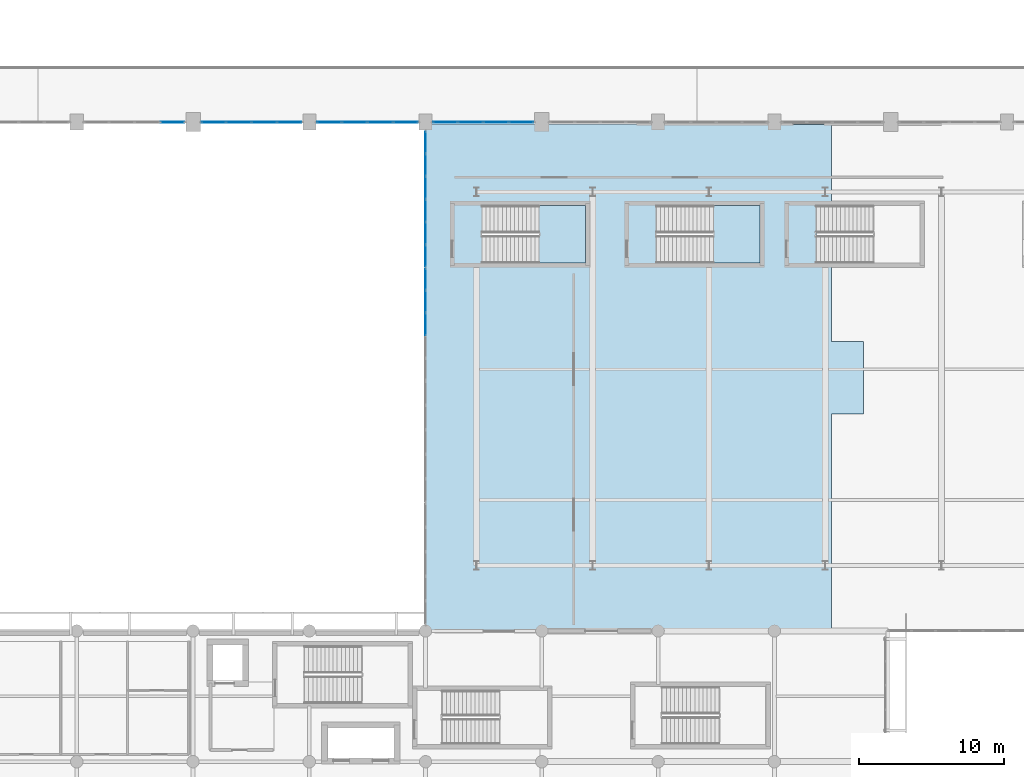
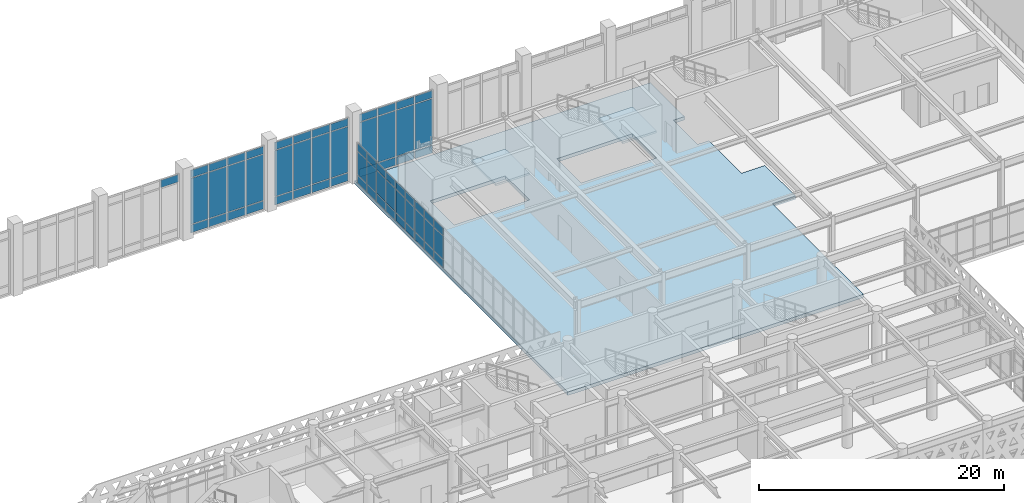
# One storey, part 52 of 84: 64 plates, 3 slabs, 8 elements without a shape of their own.
"""IFC4 building model written with IfcOpenShell, lengths in metres."""

from ifc_helpers import new_model, si_unit, direction, frame, origin, origin_2d, place, context, subcontext, project, spatial, polyline, rectangle, outline, extrude, material, layer, layer_set, type_object, element, aggregate, save


model = new_model("IFC4")

# Units and contexts
model_context = context("Model", 3, precision=1e-05, world=origin(), true_north=direction((0.0, 1.0)))
body_context = subcontext(model_context, "Body", "Model", "MODEL_VIEW")
ifc_project = project(units=[si_unit("LENGTHUNIT", "METRE"), si_unit("AREAUNIT", "SQUARE_METRE"), si_unit("VOLUMEUNIT", "CUBIC_METRE"), si_unit("PLANEANGLEUNIT", "RADIAN"), si_unit("MASSUNIT", "GRAM", prefix="KILO")], contexts=[model_context])

# Site, building, storey
site_placement = place(None, origin())
site = spatial("IfcSite", under=ifc_project, at=site_placement, CompositionType="ELEMENT")
building_placement = place(site_placement, origin())
building = spatial("IfcBuilding", under=site, at=building_placement, Name="Tlacozan Convention Centre", CompositionType="ELEMENT")
storey_placement = place(building_placement, frame((0.0, 0.0, 6.0)))
storey = spatial("IfcBuildingStorey", under=building, at=storey_placement, Name="L01", CompositionType="ELEMENT", Elevation=6.0)

# Slab
ifc_material_1 = material(Name="Concrete C40/50", Category="concrete")
ifc_layer_1 = layer(ifc_material_1, 0.340087890625)
ifc_layer_set_1 = layer_set([ifc_layer_1], Name="Concrete C40/50")
slab_type_1 = type_object("IfcSlabType", Name="Ballroom Acoustic Floor Slab 340", PredefinedType="FLOOR", material=ifc_layer_set_1)
slab_1_placement = place(storey_placement, frame((0.0, 0.0, -0.340087890625)))
element("IfcSlab", 1, at=slab_1_placement, inside=storey, type_object=slab_type_1, Name="L01 Ballroom Acoustic Floor Slab 340 61", PredefinedType="FLOOR", context=body_context, shape_type="SweptSolid", body=[
    extrude(outline(polyline([(88.0, 27.0), (88.0, 61.85009765625), (115.925048828125, 61.85009765625), (115.925048828125, 56.260009765625), (114.8798828125, 56.260009765625), (114.8798828125, 52.300048828125), (115.925048828125, 52.300048828125), (115.925048828125, 46.925048828125), (118.125, 46.925048828125), (118.125, 41.925048828125), (115.925048828125, 41.925048828125), (115.925048828125, 27.0), (88.0, 27.0)]), holes=[polyline([(91.8798828125, 52.300048828125), (99.0, 52.300048828125), (99.0, 56.260009765625), (91.8798828125, 56.260009765625), (91.8798828125, 52.300048828125)]), polyline([(103.8798828125, 52.300048828125), (111.0, 52.300048828125), (111.0, 56.260009765625), (103.8798828125, 56.260009765625), (103.8798828125, 52.300048828125)])]), origin(), (0.0, 0.0, 1.0), 0.340087890625),
])

# Curtain wall, plate
ifc_material_2 = material(Name="Dark Bronze Anodised Aluminium", Category="aluminium")
ifc_layer_2 = layer(ifc_material_2, 0.199951171875)
ifc_layer_set_2 = layer_set([ifc_layer_2], Name="Dark Bronze Anodised Aluminium")
curtain_wall_type_1 = type_object("IfcCurtainWallType", Name="Exhibition Clerestory Curtain Wall CW10", PredefinedType="NOTDEFINED", material=ifc_layer_set_2)
curtain_wall_1_placement = place(storey_placement, origin())
curtain_wall_1 = element("IfcCurtainWall", 2, at=curtain_wall_1_placement, inside=storey, type_object=curtain_wall_type_1, Name="L01 CW-10 Run 17", PredefinedType="NOTDEFINED")
ifc_material_3 = material(Name="Solar Control Double Low-E Argon Glazing", Category="glass")
ifc_layer_3 = layer(ifc_material_3, 0.050048828125)
ifc_layer_set_3 = layer_set([ifc_layer_3], Name="Solar Control Double Low-E Argon Glazing")
plate_type_1 = type_object("IfcPlateType", Name="Clerestory Solar CW Panel 50", PredefinedType="CURTAIN_PANEL", material=ifc_layer_set_3)
plate_1_placement = place(storey_placement, frame((70.5888671875, 62.0, 5.58740234375), z_axis=(0.0, 0.0, 1.0), x_axis=(1.0, 0.0, 0.0)))
plate_1 = element("IfcPlate", 3, at=plate_1_placement, type_object=plate_type_1, Name="CW-10 panel 4.3", PredefinedType="CURTAIN_PANEL", context=body_context, shape_type="SweptSolid", body=[
    extrude(rectangle(XDim=1.642578125, YDim=0.050048828125, at=origin_2d()), origin(), (0.0, 0.0, 1.0), 0.737548828125),
])
aggregate(curtain_wall_1, [plate_1])

# Curtain wall, plates
curtain_wall_2_placement = place(storey_placement, origin())
curtain_wall_2 = element("IfcCurtainWall", 4, at=curtain_wall_2_placement, inside=storey, type_object=curtain_wall_type_1, Name="L01 CW-10 Run 18", PredefinedType="NOTDEFINED")
plate_2_placement = place(storey_placement, frame((73.4111328125, 62.0, 0.074951171875), z_axis=(0.0, 0.0, 1.0), x_axis=(1.0, 0.0, 0.0)))
plate_2 = element("IfcPlate", 5, at=plate_2_placement, type_object=plate_type_1, Name="CW-10 panel 1.1", PredefinedType="CURTAIN_PANEL", context=body_context, shape_type="SweptSolid", body=[
    extrude(rectangle(XDim=1.642578125, YDim=0.050048828125, at=origin_2d()), origin(), (0.0, 0.0, 1.0), 0.78759765625),
])
plate_3_placement = place(storey_placement, frame((73.4111328125, 62.0, 0.9375), z_axis=(0.0, 0.0, 1.0), x_axis=(1.0, 0.0, 0.0)))
plate_3 = element("IfcPlate", 6, at=plate_3_placement, type_object=plate_type_1, Name="CW-10 panel 1.2", PredefinedType="CURTAIN_PANEL", context=body_context, shape_type="SweptSolid", body=[
    extrude(rectangle(XDim=1.642578125, YDim=0.050048828125, at=origin_2d()), origin(), (0.0, 0.0, 1.0), 4.574951171875),
])
plate_4_placement = place(storey_placement, frame((73.4111328125, 62.0, 5.58740234375), z_axis=(0.0, 0.0, 1.0), x_axis=(1.0, 0.0, 0.0)))
plate_4 = element("IfcPlate", 7, at=plate_4_placement, type_object=plate_type_1, Name="CW-10 panel 1.3", PredefinedType="CURTAIN_PANEL", context=body_context, shape_type="SweptSolid", body=[
    extrude(rectangle(XDim=1.642578125, YDim=0.050048828125, at=origin_2d()), origin(), (0.0, 0.0, 1.0), 0.737548828125),
])
plate_5_placement = place(storey_placement, frame((75.1474609375, 62.0, 0.074951171875), z_axis=(0.0, 0.0, 1.0), x_axis=(1.0, 0.0, 0.0)))
plate_5 = element("IfcPlate", 8, at=plate_5_placement, type_object=plate_type_1, Name="CW-10 panel 2.1", PredefinedType="CURTAIN_PANEL", context=body_context, shape_type="SweptSolid", body=[
    extrude(rectangle(XDim=1.679931640625, YDim=0.050048828125, at=origin_2d()), origin(), (0.0, 0.0, 1.0), 0.78759765625),
])
plate_6_placement = place(storey_placement, frame((75.1474609375, 62.0, 0.9375), z_axis=(0.0, 0.0, 1.0), x_axis=(1.0, 0.0, 0.0)))
plate_6 = element("IfcPlate", 9, at=plate_6_placement, type_object=plate_type_1, Name="CW-10 panel 2.2", PredefinedType="CURTAIN_PANEL", context=body_context, shape_type="SweptSolid", body=[
    extrude(rectangle(XDim=1.679931640625, YDim=0.050048828125, at=origin_2d()), origin(), (0.0, 0.0, 1.0), 4.574951171875),
])
plate_7_placement = place(storey_placement, frame((75.1474609375, 62.0, 5.58740234375), z_axis=(0.0, 0.0, 1.0), x_axis=(1.0, 0.0, 0.0)))
plate_7 = element("IfcPlate", 10, at=plate_7_placement, type_object=plate_type_1, Name="CW-10 panel 2.3", PredefinedType="CURTAIN_PANEL", context=body_context, shape_type="SweptSolid", body=[
    extrude(rectangle(XDim=1.679931640625, YDim=0.050048828125, at=origin_2d()), origin(), (0.0, 0.0, 1.0), 0.737548828125),
])
plate_8_placement = place(storey_placement, frame((76.902587890625, 62.0, 0.074951171875), z_axis=(0.0, 0.0, 1.0), x_axis=(1.0, 0.0, 0.0)))
plate_8 = element("IfcPlate", 11, at=plate_8_placement, type_object=plate_type_1, Name="CW-10 panel 3.1", PredefinedType="CURTAIN_PANEL", context=body_context, shape_type="SweptSolid", body=[
    extrude(rectangle(XDim=1.679931640625, YDim=0.050048828125, at=origin_2d()), origin(), (0.0, 0.0, 1.0), 0.78759765625),
])
plate_9_placement = place(storey_placement, frame((76.902587890625, 62.0, 0.9375), z_axis=(0.0, 0.0, 1.0), x_axis=(1.0, 0.0, 0.0)))
plate_9 = element("IfcPlate", 12, at=plate_9_placement, type_object=plate_type_1, Name="CW-10 panel 3.2", PredefinedType="CURTAIN_PANEL", context=body_context, shape_type="SweptSolid", body=[
    extrude(rectangle(XDim=1.679931640625, YDim=0.050048828125, at=origin_2d()), origin(), (0.0, 0.0, 1.0), 4.574951171875),
])
plate_10_placement = place(storey_placement, frame((76.902587890625, 62.0, 5.58740234375), z_axis=(0.0, 0.0, 1.0), x_axis=(1.0, 0.0, 0.0)))
plate_10 = element("IfcPlate", 13, at=plate_10_placement, type_object=plate_type_1, Name="CW-10 panel 3.3", PredefinedType="CURTAIN_PANEL", context=body_context, shape_type="SweptSolid", body=[
    extrude(rectangle(XDim=1.679931640625, YDim=0.050048828125, at=origin_2d()), origin(), (0.0, 0.0, 1.0), 0.737548828125),
])
plate_11_placement = place(storey_placement, frame((78.638671875, 62.0, 0.074951171875), z_axis=(0.0, 0.0, 1.0), x_axis=(1.0, 0.0, 0.0)))
plate_11 = element("IfcPlate", 14, at=plate_11_placement, type_object=plate_type_1, Name="CW-10 panel 4.1", PredefinedType="CURTAIN_PANEL", context=body_context, shape_type="SweptSolid", body=[
    extrude(rectangle(XDim=1.642578125, YDim=0.050048828125, at=origin_2d()), origin(), (0.0, 0.0, 1.0), 0.78759765625),
])
plate_12_placement = place(storey_placement, frame((78.638671875, 62.0, 0.9375), z_axis=(0.0, 0.0, 1.0), x_axis=(1.0, 0.0, 0.0)))
plate_12 = element("IfcPlate", 15, at=plate_12_placement, type_object=plate_type_1, Name="CW-10 panel 4.2", PredefinedType="CURTAIN_PANEL", context=body_context, shape_type="SweptSolid", body=[
    extrude(rectangle(XDim=1.642578125, YDim=0.050048828125, at=origin_2d()), origin(), (0.0, 0.0, 1.0), 4.574951171875),
])
plate_13_placement = place(storey_placement, frame((78.638671875, 62.0, 5.58740234375), z_axis=(0.0, 0.0, 1.0), x_axis=(1.0, 0.0, 0.0)))
plate_13 = element("IfcPlate", 16, at=plate_13_placement, type_object=plate_type_1, Name="CW-10 panel 4.3", PredefinedType="CURTAIN_PANEL", context=body_context, shape_type="SweptSolid", body=[
    extrude(rectangle(XDim=1.642578125, YDim=0.050048828125, at=origin_2d()), origin(), (0.0, 0.0, 1.0), 0.737548828125),
])
aggregate(curtain_wall_2, [plate_2, plate_3, plate_4, plate_5, plate_6, plate_7, plate_8, plate_9, plate_10, plate_11, plate_12, plate_13])

curtain_wall_3_placement = place(storey_placement, origin())
curtain_wall_3 = element("IfcCurtainWall", 17, at=curtain_wall_3_placement, inside=storey, type_object=curtain_wall_type_1, Name="L01 CW-10 Run 19", PredefinedType="NOTDEFINED")
plate_14_placement = place(storey_placement, frame((81.367431640625, 62.0, 0.074951171875), z_axis=(0.0, 0.0, 1.0), x_axis=(1.0, 0.0, 0.0)))
plate_14 = element("IfcPlate", 18, at=plate_14_placement, type_object=plate_type_1, Name="CW-10 panel 1.1", PredefinedType="CURTAIN_PANEL", context=body_context, shape_type="SweptSolid", body=[
    extrude(rectangle(XDim=1.655029296875, YDim=0.050048828125, at=origin_2d()), origin(), (0.0, 0.0, 1.0), 0.78759765625),
])
plate_15_placement = place(storey_placement, frame((81.367431640625, 62.0, 0.9375), z_axis=(0.0, 0.0, 1.0), x_axis=(1.0, 0.0, 0.0)))
plate_15 = element("IfcPlate", 19, at=plate_15_placement, type_object=plate_type_1, Name="CW-10 panel 1.2", PredefinedType="CURTAIN_PANEL", context=body_context, shape_type="SweptSolid", body=[
    extrude(rectangle(XDim=1.655029296875, YDim=0.050048828125, at=origin_2d()), origin(), (0.0, 0.0, 1.0), 4.574951171875),
])
plate_16_placement = place(storey_placement, frame((81.367431640625, 62.0, 5.58740234375), z_axis=(0.0, 0.0, 1.0), x_axis=(1.0, 0.0, 0.0)))
plate_16 = element("IfcPlate", 20, at=plate_16_placement, type_object=plate_type_1, Name="CW-10 panel 1.3", PredefinedType="CURTAIN_PANEL", context=body_context, shape_type="SweptSolid", body=[
    extrude(rectangle(XDim=1.655029296875, YDim=0.050048828125, at=origin_2d()), origin(), (0.0, 0.0, 1.0), 0.737548828125),
])
plate_17_placement = place(storey_placement, frame((83.1162109375, 62.0, 0.074951171875), z_axis=(0.0, 0.0, 1.0), x_axis=(1.0, 0.0, 0.0)))
plate_17 = element("IfcPlate", 21, at=plate_17_placement, type_object=plate_type_1, Name="CW-10 panel 2.1", PredefinedType="CURTAIN_PANEL", context=body_context, shape_type="SweptSolid", body=[
    extrude(rectangle(XDim=1.6923828125, YDim=0.050048828125, at=origin_2d()), origin(), (0.0, 0.0, 1.0), 0.78759765625),
])
plate_18_placement = place(storey_placement, frame((83.1162109375, 62.0, 0.9375), z_axis=(0.0, 0.0, 1.0), x_axis=(1.0, 0.0, 0.0)))
plate_18 = element("IfcPlate", 22, at=plate_18_placement, type_object=plate_type_1, Name="CW-10 panel 2.2", PredefinedType="CURTAIN_PANEL", context=body_context, shape_type="SweptSolid", body=[
    extrude(rectangle(XDim=1.6923828125, YDim=0.050048828125, at=origin_2d()), origin(), (0.0, 0.0, 1.0), 4.574951171875),
])
plate_19_placement = place(storey_placement, frame((83.1162109375, 62.0, 5.58740234375), z_axis=(0.0, 0.0, 1.0), x_axis=(1.0, 0.0, 0.0)))
plate_19 = element("IfcPlate", 23, at=plate_19_placement, type_object=plate_type_1, Name="CW-10 panel 2.3", PredefinedType="CURTAIN_PANEL", context=body_context, shape_type="SweptSolid", body=[
    extrude(rectangle(XDim=1.6923828125, YDim=0.050048828125, at=origin_2d()), origin(), (0.0, 0.0, 1.0), 0.737548828125),
])
plate_20_placement = place(storey_placement, frame((84.8837890625, 62.0, 0.074951171875), z_axis=(0.0, 0.0, 1.0), x_axis=(1.0, 0.0, 0.0)))
plate_20 = element("IfcPlate", 24, at=plate_20_placement, type_object=plate_type_1, Name="CW-10 panel 3.1", PredefinedType="CURTAIN_PANEL", context=body_context, shape_type="SweptSolid", body=[
    extrude(rectangle(XDim=1.6923828125, YDim=0.050048828125, at=origin_2d()), origin(), (0.0, 0.0, 1.0), 0.78759765625),
])
plate_21_placement = place(storey_placement, frame((84.8837890625, 62.0, 0.9375), z_axis=(0.0, 0.0, 1.0), x_axis=(1.0, 0.0, 0.0)))
plate_21 = element("IfcPlate", 25, at=plate_21_placement, type_object=plate_type_1, Name="CW-10 panel 3.2", PredefinedType="CURTAIN_PANEL", context=body_context, shape_type="SweptSolid", body=[
    extrude(rectangle(XDim=1.6923828125, YDim=0.050048828125, at=origin_2d()), origin(), (0.0, 0.0, 1.0), 4.574951171875),
])
plate_22_placement = place(storey_placement, frame((84.8837890625, 62.0, 5.58740234375), z_axis=(0.0, 0.0, 1.0), x_axis=(1.0, 0.0, 0.0)))
plate_22 = element("IfcPlate", 26, at=plate_22_placement, type_object=plate_type_1, Name="CW-10 panel 3.3", PredefinedType="CURTAIN_PANEL", context=body_context, shape_type="SweptSolid", body=[
    extrude(rectangle(XDim=1.6923828125, YDim=0.050048828125, at=origin_2d()), origin(), (0.0, 0.0, 1.0), 0.737548828125),
])
plate_23_placement = place(storey_placement, frame((86.632568359375, 62.0, 0.074951171875), z_axis=(0.0, 0.0, 1.0), x_axis=(1.0, 0.0, 0.0)))
plate_23 = element("IfcPlate", 27, at=plate_23_placement, type_object=plate_type_1, Name="CW-10 panel 4.1", PredefinedType="CURTAIN_PANEL", context=body_context, shape_type="SweptSolid", body=[
    extrude(rectangle(XDim=1.655029296875, YDim=0.050048828125, at=origin_2d()), origin(), (0.0, 0.0, 1.0), 0.78759765625),
])
plate_24_placement = place(storey_placement, frame((86.632568359375, 62.0, 0.9375), z_axis=(0.0, 0.0, 1.0), x_axis=(1.0, 0.0, 0.0)))
plate_24 = element("IfcPlate", 28, at=plate_24_placement, type_object=plate_type_1, Name="CW-10 panel 4.2", PredefinedType="CURTAIN_PANEL", context=body_context, shape_type="SweptSolid", body=[
    extrude(rectangle(XDim=1.655029296875, YDim=0.050048828125, at=origin_2d()), origin(), (0.0, 0.0, 1.0), 4.574951171875),
])
plate_25_placement = place(storey_placement, frame((86.632568359375, 62.0, 5.58740234375), z_axis=(0.0, 0.0, 1.0), x_axis=(1.0, 0.0, 0.0)))
plate_25 = element("IfcPlate", 29, at=plate_25_placement, type_object=plate_type_1, Name="CW-10 panel 4.3", PredefinedType="CURTAIN_PANEL", context=body_context, shape_type="SweptSolid", body=[
    extrude(rectangle(XDim=1.655029296875, YDim=0.050048828125, at=origin_2d()), origin(), (0.0, 0.0, 1.0), 0.737548828125),
])
aggregate(curtain_wall_3, [plate_14, plate_15, plate_16, plate_17, plate_18, plate_19, plate_20, plate_21, plate_22, plate_23, plate_24, plate_25])

curtain_wall_4_placement = place(storey_placement, origin())
curtain_wall_4 = element("IfcCurtainWall", 30, at=curtain_wall_4_placement, inside=storey, type_object=curtain_wall_type_1, Name="L01 CW-10 Run 20", PredefinedType="NOTDEFINED")
plate_26_placement = place(storey_placement, frame((89.361328125, 62.0, 0.074951171875), z_axis=(0.0, 0.0, 1.0), x_axis=(1.0, 0.0, 0.0)))
plate_26 = element("IfcPlate", 31, at=plate_26_placement, type_object=plate_type_1, Name="CW-10 panel 1.1", PredefinedType="CURTAIN_PANEL", context=body_context, shape_type="SweptSolid", body=[
    extrude(rectangle(XDim=1.642578125, YDim=0.050048828125, at=origin_2d()), origin(), (0.0, 0.0, 1.0), 0.78759765625),
])
plate_27_placement = place(storey_placement, frame((89.361328125, 62.0, 0.9375), z_axis=(0.0, 0.0, 1.0), x_axis=(1.0, 0.0, 0.0)))
plate_27 = element("IfcPlate", 32, at=plate_27_placement, type_object=plate_type_1, Name="CW-10 panel 1.2", PredefinedType="CURTAIN_PANEL", context=body_context, shape_type="SweptSolid", body=[
    extrude(rectangle(XDim=1.642578125, YDim=0.050048828125, at=origin_2d()), origin(), (0.0, 0.0, 1.0), 4.574951171875),
])
plate_28_placement = place(storey_placement, frame((89.361328125, 62.0, 5.58740234375), z_axis=(0.0, 0.0, 1.0), x_axis=(1.0, 0.0, 0.0)))
plate_28 = element("IfcPlate", 33, at=plate_28_placement, type_object=plate_type_1, Name="CW-10 panel 1.3", PredefinedType="CURTAIN_PANEL", context=body_context, shape_type="SweptSolid", body=[
    extrude(rectangle(XDim=1.642578125, YDim=0.050048828125, at=origin_2d()), origin(), (0.0, 0.0, 1.0), 0.737548828125),
])
plate_29_placement = place(storey_placement, frame((91.097412109375, 62.0, 0.074951171875), z_axis=(0.0, 0.0, 1.0), x_axis=(1.0, 0.0, 0.0)))
plate_29 = element("IfcPlate", 34, at=plate_29_placement, type_object=plate_type_1, Name="CW-10 panel 2.1", PredefinedType="CURTAIN_PANEL", context=body_context, shape_type="SweptSolid", body=[
    extrude(rectangle(XDim=1.679931640625, YDim=0.050048828125, at=origin_2d()), origin(), (0.0, 0.0, 1.0), 0.78759765625),
])
plate_30_placement = place(storey_placement, frame((91.097412109375, 62.0, 0.9375), z_axis=(0.0, 0.0, 1.0), x_axis=(1.0, 0.0, 0.0)))
plate_30 = element("IfcPlate", 35, at=plate_30_placement, type_object=plate_type_1, Name="CW-10 panel 2.2", PredefinedType="CURTAIN_PANEL", context=body_context, shape_type="SweptSolid", body=[
    extrude(rectangle(XDim=1.679931640625, YDim=0.050048828125, at=origin_2d()), origin(), (0.0, 0.0, 1.0), 4.574951171875),
])
plate_31_placement = place(storey_placement, frame((91.097412109375, 62.0, 5.58740234375), z_axis=(0.0, 0.0, 1.0), x_axis=(1.0, 0.0, 0.0)))
plate_31 = element("IfcPlate", 36, at=plate_31_placement, type_object=plate_type_1, Name="CW-10 panel 2.3", PredefinedType="CURTAIN_PANEL", context=body_context, shape_type="SweptSolid", body=[
    extrude(rectangle(XDim=1.679931640625, YDim=0.050048828125, at=origin_2d()), origin(), (0.0, 0.0, 1.0), 0.737548828125),
])
plate_32_placement = place(storey_placement, frame((92.8525390625, 62.0, 0.074951171875), z_axis=(0.0, 0.0, 1.0), x_axis=(1.0, 0.0, 0.0)))
plate_32 = element("IfcPlate", 37, at=plate_32_placement, type_object=plate_type_1, Name="CW-10 panel 3.1", PredefinedType="CURTAIN_PANEL", context=body_context, shape_type="SweptSolid", body=[
    extrude(rectangle(XDim=1.679931640625, YDim=0.050048828125, at=origin_2d()), origin(), (0.0, 0.0, 1.0), 0.78759765625),
])
plate_33_placement = place(storey_placement, frame((92.8525390625, 62.0, 0.9375), z_axis=(0.0, 0.0, 1.0), x_axis=(1.0, 0.0, 0.0)))
plate_33 = element("IfcPlate", 38, at=plate_33_placement, type_object=plate_type_1, Name="CW-10 panel 3.2", PredefinedType="CURTAIN_PANEL", context=body_context, shape_type="SweptSolid", body=[
    extrude(rectangle(XDim=1.679931640625, YDim=0.050048828125, at=origin_2d()), origin(), (0.0, 0.0, 1.0), 4.574951171875),
])
plate_34_placement = place(storey_placement, frame((92.8525390625, 62.0, 5.58740234375), z_axis=(0.0, 0.0, 1.0), x_axis=(1.0, 0.0, 0.0)))
plate_34 = element("IfcPlate", 39, at=plate_34_placement, type_object=plate_type_1, Name="CW-10 panel 3.3", PredefinedType="CURTAIN_PANEL", context=body_context, shape_type="SweptSolid", body=[
    extrude(rectangle(XDim=1.679931640625, YDim=0.050048828125, at=origin_2d()), origin(), (0.0, 0.0, 1.0), 0.737548828125),
])
plate_35_placement = place(storey_placement, frame((94.5888671875, 62.0, 0.074951171875), z_axis=(0.0, 0.0, 1.0), x_axis=(1.0, 0.0, 0.0)))
plate_35 = element("IfcPlate", 40, at=plate_35_placement, type_object=plate_type_1, Name="CW-10 panel 4.1", PredefinedType="CURTAIN_PANEL", context=body_context, shape_type="SweptSolid", body=[
    extrude(rectangle(XDim=1.642578125, YDim=0.050048828125, at=origin_2d()), origin(), (0.0, 0.0, 1.0), 0.78759765625),
])
plate_36_placement = place(storey_placement, frame((94.5888671875, 62.0, 0.9375), z_axis=(0.0, 0.0, 1.0), x_axis=(1.0, 0.0, 0.0)))
plate_36 = element("IfcPlate", 41, at=plate_36_placement, type_object=plate_type_1, Name="CW-10 panel 4.2", PredefinedType="CURTAIN_PANEL", context=body_context, shape_type="SweptSolid", body=[
    extrude(rectangle(XDim=1.642578125, YDim=0.050048828125, at=origin_2d()), origin(), (0.0, 0.0, 1.0), 4.574951171875),
])
plate_37_placement = place(storey_placement, frame((94.5888671875, 62.0, 5.58740234375), z_axis=(0.0, 0.0, 1.0), x_axis=(1.0, 0.0, 0.0)))
plate_37 = element("IfcPlate", 42, at=plate_37_placement, type_object=plate_type_1, Name="CW-10 panel 4.3", PredefinedType="CURTAIN_PANEL", context=body_context, shape_type="SweptSolid", body=[
    extrude(rectangle(XDim=1.642578125, YDim=0.050048828125, at=origin_2d()), origin(), (0.0, 0.0, 1.0), 0.737548828125),
])
aggregate(curtain_wall_4, [plate_26, plate_27, plate_28, plate_29, plate_30, plate_31, plate_32, plate_33, plate_34, plate_35, plate_36, plate_37])

ifc_layer_4 = layer(ifc_material_2, 0.199951171875)
ifc_layer_set_4 = layer_set([ifc_layer_4], Name="Dark Bronze Anodised Aluminium")
curtain_wall_type_2 = type_object("IfcCurtainWallType", Name="Unitised Ballroom Cloister L01 CW08", PredefinedType="NOTDEFINED", material=ifc_layer_set_4)
curtain_wall_5_placement = place(storey_placement, origin())
curtain_wall_5 = element("IfcCurtainWall", 43, at=curtain_wall_5_placement, inside=storey, type_object=curtain_wall_type_2, Name="L01 CW-08 Run 160", PredefinedType="NOTDEFINED")
ifc_layer_5 = layer(ifc_material_3, 0.030029296875)
ifc_layer_set_5 = layer_set([ifc_layer_5], Name="Solar Control Double Low-E Argon Glazing")
plate_type_2 = type_object("IfcPlateType", Name="Double Low-E Acoustic CW Panel 30", PredefinedType="CURTAIN_PANEL", material=ifc_layer_set_5)
plate_38_placement = place(storey_placement, frame((88.0, 48.10009765625, 0.074951171875), z_axis=(0.0, 0.0, 1.0), x_axis=(0.0, 1.0, 0.0)))
plate_38 = element("IfcPlate", 44, at=plate_38_placement, type_object=plate_type_2, Name="CW-08 panel 3.1", PredefinedType="CURTAIN_PANEL", context=body_context, shape_type="SweptSolid", body=[
    extrude(rectangle(XDim=1.485107421875, YDim=0.030029296875, at=origin_2d()), origin(), (0.0, 0.0, 1.0), 0.78759765625),
])
plate_39_placement = place(storey_placement, frame((88.0, 48.10009765625, 0.9375), z_axis=(0.0, 0.0, 1.0), x_axis=(0.0, 1.0, 0.0)))
plate_39 = element("IfcPlate", 45, at=plate_39_placement, type_object=plate_type_2, Name="CW-08 panel 3.2", PredefinedType="CURTAIN_PANEL", context=body_context, shape_type="SweptSolid", body=[
    extrude(rectangle(XDim=1.485107421875, YDim=0.030029296875, at=origin_2d()), origin(), (0.0, 0.0, 1.0), 2.27490234375),
])
plate_40_placement = place(storey_placement, frame((88.0, 48.10009765625, 3.28759765625), z_axis=(0.0, 0.0, 1.0), x_axis=(0.0, 1.0, 0.0)))
plate_40 = element("IfcPlate", 46, at=plate_40_placement, type_object=plate_type_2, Name="CW-08 panel 3.3", PredefinedType="CURTAIN_PANEL", context=body_context, shape_type="SweptSolid", body=[
    extrude(rectangle(XDim=1.485107421875, YDim=0.030029296875, at=origin_2d()), origin(), (0.0, 0.0, 1.0), 0.737548828125),
])
plate_41_placement = place(storey_placement, frame((88.0, 49.659912109375, 0.074951171875), z_axis=(0.0, 0.0, 1.0), x_axis=(0.0, 1.0, 0.0)))
plate_41 = element("IfcPlate", 47, at=plate_41_placement, type_object=plate_type_2, Name="CW-08 panel 4.1", PredefinedType="CURTAIN_PANEL", context=body_context, shape_type="SweptSolid", body=[
    extrude(rectangle(XDim=1.485107421875, YDim=0.030029296875, at=origin_2d()), origin(), (0.0, 0.0, 1.0), 0.78759765625),
])
plate_42_placement = place(storey_placement, frame((88.0, 49.659912109375, 0.9375), z_axis=(0.0, 0.0, 1.0), x_axis=(0.0, 1.0, 0.0)))
plate_42 = element("IfcPlate", 48, at=plate_42_placement, type_object=plate_type_2, Name="CW-08 panel 4.2", PredefinedType="CURTAIN_PANEL", context=body_context, shape_type="SweptSolid", body=[
    extrude(rectangle(XDim=1.485107421875, YDim=0.030029296875, at=origin_2d()), origin(), (0.0, 0.0, 1.0), 2.27490234375),
])
plate_43_placement = place(storey_placement, frame((88.0, 49.659912109375, 3.28759765625), z_axis=(0.0, 0.0, 1.0), x_axis=(0.0, 1.0, 0.0)))
plate_43 = element("IfcPlate", 49, at=plate_43_placement, type_object=plate_type_2, Name="CW-08 panel 4.3", PredefinedType="CURTAIN_PANEL", context=body_context, shape_type="SweptSolid", body=[
    extrude(rectangle(XDim=1.485107421875, YDim=0.030029296875, at=origin_2d()), origin(), (0.0, 0.0, 1.0), 0.737548828125),
])
plate_44_placement = place(storey_placement, frame((88.0, 51.201171875, 0.074951171875), z_axis=(0.0, 0.0, 1.0), x_axis=(0.0, 1.0, 0.0)))
plate_44 = element("IfcPlate", 50, at=plate_44_placement, type_object=plate_type_2, Name="CW-08 panel 5.1", PredefinedType="CURTAIN_PANEL", context=body_context, shape_type="SweptSolid", body=[
    extrude(rectangle(XDim=1.447509765625, YDim=0.030029296875, at=origin_2d()), origin(), (0.0, 0.0, 1.0), 0.78759765625),
])
plate_45_placement = place(storey_placement, frame((88.0, 51.201171875, 0.9375), z_axis=(0.0, 0.0, 1.0), x_axis=(0.0, 1.0, 0.0)))
plate_45 = element("IfcPlate", 51, at=plate_45_placement, type_object=plate_type_2, Name="CW-08 panel 5.2", PredefinedType="CURTAIN_PANEL", context=body_context, shape_type="SweptSolid", body=[
    extrude(rectangle(XDim=1.447509765625, YDim=0.030029296875, at=origin_2d()), origin(), (0.0, 0.0, 1.0), 2.27490234375),
])
plate_46_placement = place(storey_placement, frame((88.0, 51.201171875, 3.28759765625), z_axis=(0.0, 0.0, 1.0), x_axis=(0.0, 1.0, 0.0)))
plate_46 = element("IfcPlate", 52, at=plate_46_placement, type_object=plate_type_2, Name="CW-08 panel 5.3", PredefinedType="CURTAIN_PANEL", context=body_context, shape_type="SweptSolid", body=[
    extrude(rectangle(XDim=1.447509765625, YDim=0.030029296875, at=origin_2d()), origin(), (0.0, 0.0, 1.0), 0.737548828125),
])
aggregate(curtain_wall_5, [plate_38, plate_39, plate_40, plate_41, plate_42, plate_43, plate_44, plate_45, plate_46])

curtain_wall_6_placement = place(storey_placement, origin())
curtain_wall_6 = element("IfcCurtainWall", 53, at=curtain_wall_6_placement, inside=storey, type_object=curtain_wall_type_2, Name="L01 CW-08 Run 163", PredefinedType="NOTDEFINED")
plate_47_placement = place(storey_placement, frame((88.0, 52.802001953125, 0.074951171875), z_axis=(0.0, 0.0, 1.0), x_axis=(0.0, 1.0, 0.0)))
plate_47 = element("IfcPlate", 54, at=plate_47_placement, type_object=plate_type_2, Name="CW-08 panel 1.1", PredefinedType="CURTAIN_PANEL", context=body_context, shape_type="SweptSolid", body=[
    extrude(rectangle(XDim=1.4541015625, YDim=0.030029296875, at=origin_2d()), origin(), (0.0, 0.0, 1.0), 0.78759765625),
])
plate_48_placement = place(storey_placement, frame((88.0, 52.802001953125, 0.9375), z_axis=(0.0, 0.0, 1.0), x_axis=(0.0, 1.0, 0.0)))
plate_48 = element("IfcPlate", 55, at=plate_48_placement, type_object=plate_type_2, Name="CW-08 panel 1.2", PredefinedType="CURTAIN_PANEL", context=body_context, shape_type="SweptSolid", body=[
    extrude(rectangle(XDim=1.4541015625, YDim=0.030029296875, at=origin_2d()), origin(), (0.0, 0.0, 1.0), 2.27490234375),
])
plate_49_placement = place(storey_placement, frame((88.0, 52.802001953125, 3.28759765625), z_axis=(0.0, 0.0, 1.0), x_axis=(0.0, 1.0, 0.0)))
plate_49 = element("IfcPlate", 56, at=plate_49_placement, type_object=plate_type_2, Name="CW-08 panel 1.3", PredefinedType="CURTAIN_PANEL", context=body_context, shape_type="SweptSolid", body=[
    extrude(rectangle(XDim=1.4541015625, YDim=0.030029296875, at=origin_2d()), origin(), (0.0, 0.0, 1.0), 0.737548828125),
])
plate_50_placement = place(storey_placement, frame((88.0, 54.35009765625, 0.074951171875), z_axis=(0.0, 0.0, 1.0), x_axis=(0.0, 1.0, 0.0)))
plate_50 = element("IfcPlate", 57, at=plate_50_placement, type_object=plate_type_2, Name="CW-08 panel 2.1", PredefinedType="CURTAIN_PANEL", context=body_context, shape_type="SweptSolid", body=[
    extrude(rectangle(XDim=1.49169921875, YDim=0.030029296875, at=origin_2d()), origin(), (0.0, 0.0, 1.0), 0.78759765625),
])
plate_51_placement = place(storey_placement, frame((88.0, 54.35009765625, 0.9375), z_axis=(0.0, 0.0, 1.0), x_axis=(0.0, 1.0, 0.0)))
plate_51 = element("IfcPlate", 58, at=plate_51_placement, type_object=plate_type_2, Name="CW-08 panel 2.2", PredefinedType="CURTAIN_PANEL", context=body_context, shape_type="SweptSolid", body=[
    extrude(rectangle(XDim=1.49169921875, YDim=0.030029296875, at=origin_2d()), origin(), (0.0, 0.0, 1.0), 2.27490234375),
])
plate_52_placement = place(storey_placement, frame((88.0, 54.35009765625, 3.28759765625), z_axis=(0.0, 0.0, 1.0), x_axis=(0.0, 1.0, 0.0)))
plate_52 = element("IfcPlate", 59, at=plate_52_placement, type_object=plate_type_2, Name="CW-08 panel 2.3", PredefinedType="CURTAIN_PANEL", context=body_context, shape_type="SweptSolid", body=[
    extrude(rectangle(XDim=1.49169921875, YDim=0.030029296875, at=origin_2d()), origin(), (0.0, 0.0, 1.0), 0.737548828125),
])
plate_53_placement = place(storey_placement, frame((88.0, 55.916748046875, 0.074951171875), z_axis=(0.0, 0.0, 1.0), x_axis=(0.0, 1.0, 0.0)))
plate_53 = element("IfcPlate", 60, at=plate_53_placement, type_object=plate_type_2, Name="CW-08 panel 3.1", PredefinedType="CURTAIN_PANEL", context=body_context, shape_type="SweptSolid", body=[
    extrude(rectangle(XDim=1.49169921875, YDim=0.030029296875, at=origin_2d()), origin(), (0.0, 0.0, 1.0), 0.78759765625),
])
plate_54_placement = place(storey_placement, frame((88.0, 55.916748046875, 0.9375), z_axis=(0.0, 0.0, 1.0), x_axis=(0.0, 1.0, 0.0)))
plate_54 = element("IfcPlate", 61, at=plate_54_placement, type_object=plate_type_2, Name="CW-08 panel 3.2", PredefinedType="CURTAIN_PANEL", context=body_context, shape_type="SweptSolid", body=[
    extrude(rectangle(XDim=1.49169921875, YDim=0.030029296875, at=origin_2d()), origin(), (0.0, 0.0, 1.0), 2.27490234375),
])
plate_55_placement = place(storey_placement, frame((88.0, 55.916748046875, 3.28759765625), z_axis=(0.0, 0.0, 1.0), x_axis=(0.0, 1.0, 0.0)))
plate_55 = element("IfcPlate", 62, at=plate_55_placement, type_object=plate_type_2, Name="CW-08 panel 3.3", PredefinedType="CURTAIN_PANEL", context=body_context, shape_type="SweptSolid", body=[
    extrude(rectangle(XDim=1.49169921875, YDim=0.030029296875, at=origin_2d()), origin(), (0.0, 0.0, 1.0), 0.737548828125),
])
plate_56_placement = place(storey_placement, frame((88.0, 57.4833984375, 0.074951171875), z_axis=(0.0, 0.0, 1.0), x_axis=(0.0, 1.0, 0.0)))
plate_56 = element("IfcPlate", 63, at=plate_56_placement, type_object=plate_type_2, Name="CW-08 panel 4.1", PredefinedType="CURTAIN_PANEL", context=body_context, shape_type="SweptSolid", body=[
    extrude(rectangle(XDim=1.49169921875, YDim=0.030029296875, at=origin_2d()), origin(), (0.0, 0.0, 1.0), 0.78759765625),
])
plate_57_placement = place(storey_placement, frame((88.0, 57.4833984375, 0.9375), z_axis=(0.0, 0.0, 1.0), x_axis=(0.0, 1.0, 0.0)))
plate_57 = element("IfcPlate", 64, at=plate_57_placement, type_object=plate_type_2, Name="CW-08 panel 4.2", PredefinedType="CURTAIN_PANEL", context=body_context, shape_type="SweptSolid", body=[
    extrude(rectangle(XDim=1.49169921875, YDim=0.030029296875, at=origin_2d()), origin(), (0.0, 0.0, 1.0), 2.27490234375),
])
plate_58_placement = place(storey_placement, frame((88.0, 57.4833984375, 3.28759765625), z_axis=(0.0, 0.0, 1.0), x_axis=(0.0, 1.0, 0.0)))
plate_58 = element("IfcPlate", 65, at=plate_58_placement, type_object=plate_type_2, Name="CW-08 panel 4.3", PredefinedType="CURTAIN_PANEL", context=body_context, shape_type="SweptSolid", body=[
    extrude(rectangle(XDim=1.49169921875, YDim=0.030029296875, at=origin_2d()), origin(), (0.0, 0.0, 1.0), 0.737548828125),
])
plate_59_placement = place(storey_placement, frame((88.0, 59.050048828125, 0.074951171875), z_axis=(0.0, 0.0, 1.0), x_axis=(0.0, 1.0, 0.0)))
plate_59 = element("IfcPlate", 66, at=plate_59_placement, type_object=plate_type_2, Name="CW-08 panel 5.1", PredefinedType="CURTAIN_PANEL", context=body_context, shape_type="SweptSolid", body=[
    extrude(rectangle(XDim=1.49169921875, YDim=0.030029296875, at=origin_2d()), origin(), (0.0, 0.0, 1.0), 0.78759765625),
])
plate_60_placement = place(storey_placement, frame((88.0, 59.050048828125, 0.9375), z_axis=(0.0, 0.0, 1.0), x_axis=(0.0, 1.0, 0.0)))
plate_60 = element("IfcPlate", 67, at=plate_60_placement, type_object=plate_type_2, Name="CW-08 panel 5.2", PredefinedType="CURTAIN_PANEL", context=body_context, shape_type="SweptSolid", body=[
    extrude(rectangle(XDim=1.49169921875, YDim=0.030029296875, at=origin_2d()), origin(), (0.0, 0.0, 1.0), 2.27490234375),
])
plate_61_placement = place(storey_placement, frame((88.0, 59.050048828125, 3.28759765625), z_axis=(0.0, 0.0, 1.0), x_axis=(0.0, 1.0, 0.0)))
plate_61 = element("IfcPlate", 68, at=plate_61_placement, type_object=plate_type_2, Name="CW-08 panel 5.3", PredefinedType="CURTAIN_PANEL", context=body_context, shape_type="SweptSolid", body=[
    extrude(rectangle(XDim=1.49169921875, YDim=0.030029296875, at=origin_2d()), origin(), (0.0, 0.0, 1.0), 0.737548828125),
])
plate_62_placement = place(storey_placement, frame((88.0, 60.597900390625, 0.074951171875), z_axis=(0.0, 0.0, 1.0), x_axis=(0.0, 1.0, 0.0)))
plate_62 = element("IfcPlate", 69, at=plate_62_placement, type_object=plate_type_2, Name="CW-08 panel 6.1", PredefinedType="CURTAIN_PANEL", context=body_context, shape_type="SweptSolid", body=[
    extrude(rectangle(XDim=1.4541015625, YDim=0.030029296875, at=origin_2d()), origin(), (0.0, 0.0, 1.0), 0.78759765625),
])
plate_63_placement = place(storey_placement, frame((88.0, 60.597900390625, 0.9375), z_axis=(0.0, 0.0, 1.0), x_axis=(0.0, 1.0, 0.0)))
plate_63 = element("IfcPlate", 70, at=plate_63_placement, type_object=plate_type_2, Name="CW-08 panel 6.2", PredefinedType="CURTAIN_PANEL", context=body_context, shape_type="SweptSolid", body=[
    extrude(rectangle(XDim=1.4541015625, YDim=0.030029296875, at=origin_2d()), origin(), (0.0, 0.0, 1.0), 2.27490234375),
])
plate_64_placement = place(storey_placement, frame((88.0, 60.597900390625, 3.28759765625), z_axis=(0.0, 0.0, 1.0), x_axis=(0.0, 1.0, 0.0)))
plate_64 = element("IfcPlate", 71, at=plate_64_placement, type_object=plate_type_2, Name="CW-08 panel 6.3", PredefinedType="CURTAIN_PANEL", context=body_context, shape_type="SweptSolid", body=[
    extrude(rectangle(XDim=1.4541015625, YDim=0.030029296875, at=origin_2d()), origin(), (0.0, 0.0, 1.0), 0.737548828125),
])
aggregate(curtain_wall_6, [plate_47, plate_48, plate_49, plate_50, plate_51, plate_52, plate_53, plate_54, plate_55, plate_56, plate_57, plate_58, plate_59, plate_60, plate_61, plate_62, plate_63, plate_64])

# Stair, slab
stair_type = type_object("IfcStairType", Name="Protected Dogleg Stair W188 H54", PredefinedType="HALF_TURN_STAIR", material=ifc_material_1)
stair_1_placement = place(storey_placement, origin())
stair_1 = element("IfcStair", 72, at=stair_1_placement, inside=storey, type_object=stair_type, Name="L01 Ballroom West Stair", PredefinedType="HALF_TURN_STAIR")
ifc_layer_6 = layer(ifc_material_1, 0.199951171875)
ifc_layer_set_6 = layer_set([ifc_layer_6], Name="Concrete C40/50")
slab_type_2 = type_object("IfcSlabType", Name="Stair Half Landing Slab 200", PredefinedType="LANDING", material=ifc_layer_set_6)
slab_2_placement = place(storey_placement, frame((0.0, 0.0, 2.5)))
slab_2 = element("IfcSlab", 73, at=slab_2_placement, type_object=slab_type_2, Name="ST-06 landing 1", PredefinedType="LANDING", context=body_context, shape_type="SweptSolid", body=[
    extrude(outline(polyline([(95.800048828125, 52.300048828125), (99.0, 52.300048828125), (99.0, 56.260009765625), (95.800048828125, 56.260009765625), (95.800048828125, 52.300048828125)])), origin(), (0.0, 0.0, 1.0), 0.199951171875),
])
aggregate(stair_1, [slab_2])

stair_2_placement = place(storey_placement, origin())
stair_2 = element("IfcStair", 74, at=stair_2_placement, inside=storey, type_object=stair_type, Name="L01 Ballroom Courtyard Stair", PredefinedType="HALF_TURN_STAIR")
slab_3_placement = place(storey_placement, frame((0.0, 0.0, 2.5)))
slab_3 = element("IfcSlab", 75, at=slab_3_placement, type_object=slab_type_2, Name="ST-17 landing 1", PredefinedType="LANDING", context=body_context, shape_type="SweptSolid", body=[
    extrude(outline(polyline([(107.800048828125, 52.300048828125), (111.0, 52.300048828125), (111.0, 56.260009765625), (107.800048828125, 56.260009765625), (107.800048828125, 52.300048828125)])), origin(), (0.0, 0.0, 1.0), 0.199951171875),
])
aggregate(stair_2, [slab_3])

save(model, "model.ifc")
